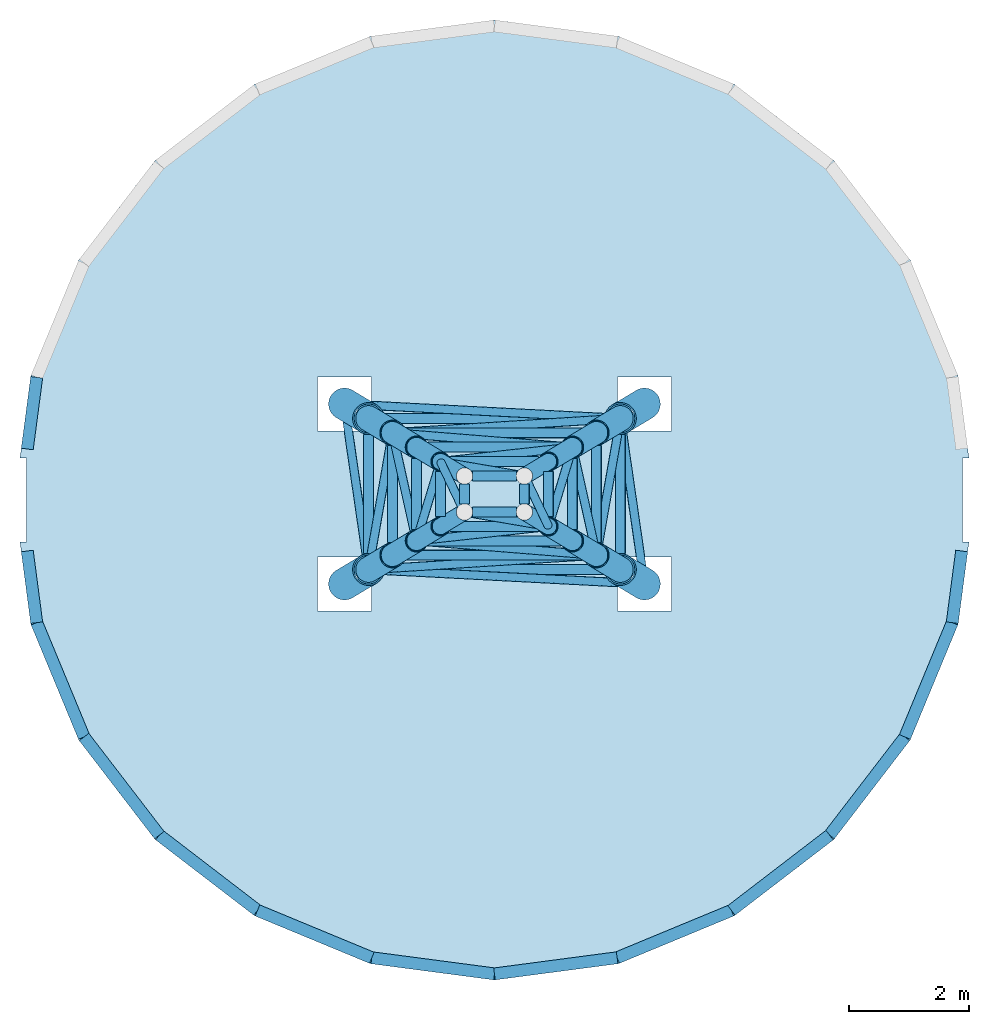
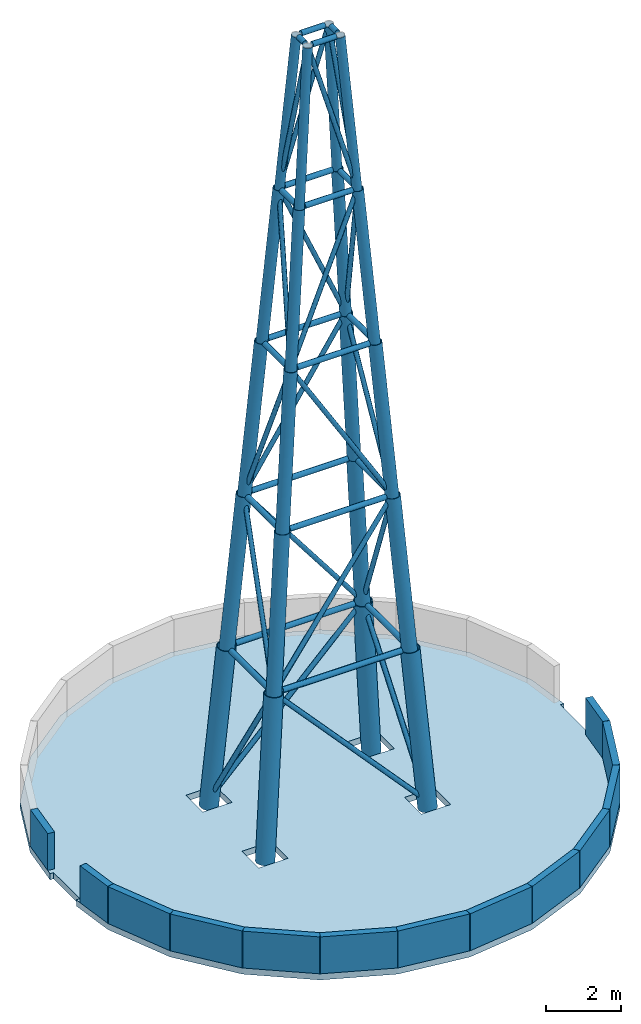
# One storey, part 1 of 2: 60 members, 13 walls, 1 slab.
"""IFC4 building model written with IfcOpenShell, lengths in metres."""

from ifc_helpers import new_model, si_unit, direction, frame, frame_2d, origin, origin_2d, place, context, subcontext, project, spatial, polyline, rectangle, hollow_circle, outline, extrude, material, layer, layer_set, material_profile, profile_set, type_object, element, save


model = new_model("IFC4")

# Units and contexts
model_context = context("Model", 3, precision=1e-05, world=origin(), true_north=direction((0.0, 1.0)))
body_context = subcontext(model_context, "Body", "Model", "MODEL_VIEW")
ifc_project = project(units=[si_unit("LENGTHUNIT", "METRE"), si_unit("AREAUNIT", "SQUARE_METRE"), si_unit("VOLUMEUNIT", "CUBIC_METRE"), si_unit("PLANEANGLEUNIT", "RADIAN"), si_unit("MASSUNIT", "GRAM", prefix="KILO")], contexts=[model_context])

# Site, building, storey
site_placement = place(None, origin())
site = spatial("IfcSite", under=ifc_project, at=site_placement, CompositionType="ELEMENT")
building_placement = place(site_placement, origin())
building = spatial("IfcBuilding", under=site, at=building_placement, Name="Cinnabar Reach Civic Tower", CompositionType="ELEMENT")
storey_placement = place(building_placement, frame((0.0, 0.0, 305.0)))
storey = spatial("IfcBuildingStorey", under=building, at=storey_placement, Name="Roof crown", CompositionType="ELEMENT", Elevation=305.0)

# Members
ifc_material_1 = material(Name="Steel Q355B", Category="steel")
ifc_material_profile_1 = material_profile(ifc_material_1, hollow_circle(Radius=0.07, WallThickness=0.005, at=origin_2d()), Name="CHS140x5")
ifc_profile_set_1 = profile_set([ifc_material_profile_1], Name="Steel Q355B")
member_type_1 = type_object("IfcMemberType", Name="CHS140x5 mast brace", PredefinedType="USERDEFINED", material=ifc_profile_set_1)
member_1_placement = place(storey_placement, frame((16.4814, 53.2281, 0.2312), z_axis=(-0.070068714842, 0.483566836335, 0.872498418335), x_axis=(-0.989664501683, -0.14340214123, 0.0)))
element("IfcMember", 1, at=member_1_placement, inside=storey, type_object=member_type_1, Name="MAST brace", ObjectType="MAST", PredefinedType="USERDEFINED", context=body_context, shape_type="SweptSolid", body=[
    extrude(hollow_circle(Radius=0.07, WallThickness=0.005, at=origin_2d()), origin(), (0.0, 0.0, 1.0), 5.1778),
])
member_2_placement = place(storey_placement, frame((15.9203, 55.8694, 4.7855), z_axis=(-0.678093396704, 0.035370999234, -0.734124129667), x_axis=(-0.052091609459, -0.998642310452, 0.0)))
element("IfcMember", 2, at=member_2_placement, inside=storey, type_object=member_type_1, Name="MAST brace", ObjectType="MAST", PredefinedType="USERDEFINED", context=body_context, shape_type="SweptSolid", body=[
    extrude(hollow_circle(Radius=0.07, WallThickness=0.005, at=origin_2d()), origin(), (0.0, 0.0, 1.0), 6.2537),
])
member_3_placement = place(storey_placement, frame((11.5186, 55.9719, 0.2312), z_axis=(0.070068714842, -0.483566836335, 0.872498418335), x_axis=(0.989664501683, 0.14340214123, 0.0)))
element("IfcMember", 3, at=member_3_placement, inside=storey, type_object=member_type_1, Name="MAST brace", ObjectType="MAST", PredefinedType="USERDEFINED", context=body_context, shape_type="SweptSolid", body=[
    extrude(hollow_circle(Radius=0.07, WallThickness=0.005, at=origin_2d()), origin(), (0.0, 0.0, 1.0), 5.1778),
])
member_4_placement = place(storey_placement, frame((12.0797, 53.3306, 4.7855), z_axis=(0.678093396704, -0.035370999234, -0.734124129667), x_axis=(0.052091609459, 0.998642310452, 0.0)))
element("IfcMember", 4, at=member_4_placement, inside=storey, type_object=member_type_1, Name="MAST brace", ObjectType="MAST", PredefinedType="USERDEFINED", context=body_context, shape_type="SweptSolid", body=[
    extrude(hollow_circle(Radius=0.07, WallThickness=0.005, at=origin_2d()), origin(), (0.0, 0.0, 1.0), 6.2537),
])
member_5_placement = place(storey_placement, frame((15.7155, 53.6684, 9.7668), z_axis=(0.072843617546, 0.415188879196, -0.906814204771), x_axis=(-0.984955626248, 0.17280744869, 0.0)))
element("IfcMember", 5, at=member_5_placement, inside=storey, type_object=member_type_1, Name="MAST brace", ObjectType="MAST", PredefinedType="USERDEFINED", context=body_context, shape_type="SweptSolid", body=[
    extrude(hollow_circle(Radius=0.07, WallThickness=0.005, at=origin_2d()), origin(), (0.0, 0.0, 1.0), 5.0656),
])
member_6_placement = place(storey_placement, frame((15.9709, 55.8518, 5.1492), z_axis=(-0.606177680075, -0.038269052252, 0.794408018476), x_axis=(0.063006306288, -0.998013128855, 0.0)))
element("IfcMember", 6, at=member_6_placement, inside=storey, type_object=member_type_1, Name="MAST brace", ObjectType="MAST", PredefinedType="USERDEFINED", context=body_context, shape_type="SweptSolid", body=[
    extrude(hollow_circle(Radius=0.07, WallThickness=0.005, at=origin_2d()), origin(), (0.0, 0.0, 1.0), 5.8428),
])
member_7_placement = place(storey_placement, frame((12.2845, 55.5316, 9.7668), z_axis=(-0.072843617546, -0.415188879196, -0.906814204771), x_axis=(0.984955626248, -0.17280744869, 0.0)))
element("IfcMember", 7, at=member_7_placement, inside=storey, type_object=member_type_1, Name="MAST brace", ObjectType="MAST", PredefinedType="USERDEFINED", context=body_context, shape_type="SweptSolid", body=[
    extrude(hollow_circle(Radius=0.07, WallThickness=0.005, at=origin_2d()), origin(), (0.0, 0.0, 1.0), 5.0656),
])
member_8_placement = place(storey_placement, frame((12.0291, 53.3482, 5.1492), z_axis=(0.606177680075, 0.038269052252, 0.794408018476), x_axis=(-0.063006306288, 0.998013128855, 0.0)))
element("IfcMember", 8, at=member_8_placement, inside=storey, type_object=member_type_1, Name="MAST brace", ObjectType="MAST", PredefinedType="USERDEFINED", context=body_context, shape_type="SweptSolid", body=[
    extrude(hollow_circle(Radius=0.07, WallThickness=0.005, at=origin_2d()), origin(), (0.0, 0.0, 1.0), 5.8428),
])
member_9_placement = place(storey_placement, frame((15.6858, 53.6439, 10.1368), z_axis=(-0.075324109872, 0.338958494426, 0.937781113869), x_axis=(-0.976187060184, -0.216930457819, 0.0)))
element("IfcMember", 9, at=member_9_placement, inside=storey, type_object=member_type_1, Name="MAST brace", ObjectType="MAST", PredefinedType="USERDEFINED", context=body_context, shape_type="SweptSolid", body=[
    extrude(hollow_circle(Radius=0.07, WallThickness=0.005, at=origin_2d()), origin(), (0.0, 0.0, 1.0), 4.9333),
])
member_10_placement = place(storey_placement, frame((15.2028, 55.3878, 14.7787), z_axis=(-0.515565275296, 0.041236401403, -0.855857468337), x_axis=(-0.079728276547, -0.99681663405, 0.0)))
element("IfcMember", 10, at=member_10_placement, inside=storey, type_object=member_type_1, Name="MAST brace", ObjectType="MAST", PredefinedType="USERDEFINED", context=body_context, shape_type="SweptSolid", body=[
    extrude(hollow_circle(Radius=0.07, WallThickness=0.005, at=origin_2d()), origin(), (0.0, 0.0, 1.0), 5.4418),
])
member_11_placement = place(storey_placement, frame((12.3142, 55.5561, 10.1368), z_axis=(0.075324109872, -0.338958494426, 0.937781113869), x_axis=(0.976187060184, 0.216930457819, 0.0)))
element("IfcMember", 11, at=member_11_placement, inside=storey, type_object=member_type_1, Name="MAST brace", ObjectType="MAST", PredefinedType="USERDEFINED", context=body_context, shape_type="SweptSolid", body=[
    extrude(hollow_circle(Radius=0.07, WallThickness=0.005, at=origin_2d()), origin(), (0.0, 0.0, 1.0), 4.9333),
])
member_12_placement = place(storey_placement, frame((12.7972, 53.8122, 14.7787), z_axis=(0.515565275296, -0.041236401403, -0.855857468337), x_axis=(0.079728276547, 0.99681663405, 0.0)))
element("IfcMember", 12, at=member_12_placement, inside=storey, type_object=member_type_1, Name="MAST brace", ObjectType="MAST", PredefinedType="USERDEFINED", context=body_context, shape_type="SweptSolid", body=[
    extrude(hollow_circle(Radius=0.07, WallThickness=0.005, at=origin_2d()), origin(), (0.0, 0.0, 1.0), 5.4418),
])
member_13_placement = place(storey_placement, frame((14.9126, 54.1015, 19.7634), z_axis=(0.077398269196, 0.255447329229, -0.963719964468), x_axis=(-0.957034814906, 0.289973038502, 0.0)))
element("IfcMember", 13, at=member_13_placement, inside=storey, type_object=member_type_1, Name="MAST brace", ObjectType="MAST", PredefinedType="USERDEFINED", context=body_context, shape_type="SweptSolid", body=[
    extrude(hollow_circle(Radius=0.07, WallThickness=0.005, at=origin_2d()), origin(), (0.0, 0.0, 1.0), 4.8425),
])
member_14_placement = place(storey_placement, frame((15.2344, 55.3728, 15.0885), z_axis=(-0.403701394769, -0.044023121935, 0.913831028471), x_axis=(0.108406066709, -0.994106696839, 0.0)))
element("IfcMember", 14, at=member_14_placement, inside=storey, type_object=member_type_1, Name="MAST brace", ObjectType="MAST", PredefinedType="USERDEFINED", context=body_context, shape_type="SweptSolid", body=[
    extrude(hollow_circle(Radius=0.07, WallThickness=0.005, at=origin_2d()), origin(), (0.0, 0.0, 1.0), 5.1246),
])
member_15_placement = place(storey_placement, frame((13.0874, 55.0985, 19.7634), z_axis=(-0.077398269196, -0.255447329229, -0.963719964468), x_axis=(0.957034814906, -0.289973038502, 0.0)))
element("IfcMember", 15, at=member_15_placement, inside=storey, type_object=member_type_1, Name="MAST brace", ObjectType="MAST", PredefinedType="USERDEFINED", context=body_context, shape_type="SweptSolid", body=[
    extrude(hollow_circle(Radius=0.07, WallThickness=0.005, at=origin_2d()), origin(), (0.0, 0.0, 1.0), 4.8425),
])
member_16_placement = place(storey_placement, frame((12.7656, 53.8272, 15.0885), z_axis=(0.403701394769, 0.044023121935, 0.913831028471), x_axis=(-0.108406066709, 0.994106696839, 0.0)))
element("IfcMember", 16, at=member_16_placement, inside=storey, type_object=member_type_1, Name="MAST brace", ObjectType="MAST", PredefinedType="USERDEFINED", context=body_context, shape_type="SweptSolid", body=[
    extrude(hollow_circle(Radius=0.07, WallThickness=0.005, at=origin_2d()), origin(), (0.0, 0.0, 1.0), 5.1246),
])
member_17_placement = place(storey_placement, frame((14.8892, 54.0826, 20.0542), z_axis=(-0.078946371715, 0.165820761731, 0.982990816525), x_axis=(-0.902894113159, -0.429863025188, 0.0)))
element("IfcMember", 17, at=member_17_placement, inside=storey, type_object=member_type_1, Name="MAST brace", ObjectType="MAST", PredefinedType="USERDEFINED", context=body_context, shape_type="SweptSolid", body=[
    extrude(hollow_circle(Radius=0.07, WallThickness=0.005, at=origin_2d()), origin(), (0.0, 0.0, 1.0), 4.7931),
])
member_18_placement = place(storey_placement, frame((14.4631, 54.9063, 24.7687), z_axis=(-0.270347081454, 0.046355697725, -0.961646299238), x_axis=(-0.169000944921, -0.985615888983, 0.0)))
element("IfcMember", 18, at=member_18_placement, inside=storey, type_object=member_type_1, Name="MAST brace", ObjectType="MAST", PredefinedType="USERDEFINED", context=body_context, shape_type="SweptSolid", body=[
    extrude(hollow_circle(Radius=0.07, WallThickness=0.005, at=origin_2d()), origin(), (0.0, 0.0, 1.0), 4.9055),
])
member_19_placement = place(storey_placement, frame((13.1108, 55.1174, 20.0542), z_axis=(0.078946371715, -0.165820761731, 0.982990816525), x_axis=(0.902894113159, 0.429863025188, 0.0)))
element("IfcMember", 19, at=member_19_placement, inside=storey, type_object=member_type_1, Name="MAST brace", ObjectType="MAST", PredefinedType="USERDEFINED", context=body_context, shape_type="SweptSolid", body=[
    extrude(hollow_circle(Radius=0.07, WallThickness=0.005, at=origin_2d()), origin(), (0.0, 0.0, 1.0), 4.7931),
])
member_20_placement = place(storey_placement, frame((13.5369, 54.2937, 24.7687), z_axis=(0.270347081454, -0.046355697725, -0.961646299238), x_axis=(0.169000944921, 0.985615888983, 0.0)))
element("IfcMember", 20, at=member_20_placement, inside=storey, type_object=member_type_1, Name="MAST brace", ObjectType="MAST", PredefinedType="USERDEFINED", context=body_context, shape_type="SweptSolid", body=[
    extrude(hollow_circle(Radius=0.07, WallThickness=0.005, at=origin_2d()), origin(), (0.0, 0.0, 1.0), 4.9055),
])
ifc_material_profile_2 = material_profile(ifc_material_1, hollow_circle(Radius=0.084, WallThickness=0.006, at=origin_2d()), Name="CHS168x6")
ifc_profile_set_2 = profile_set([ifc_material_profile_2], Name="Steel Q355B")
member_type_2 = type_object("IfcMemberType", Name="CHS168x6 mast ring", PredefinedType="USERDEFINED", material=ifc_profile_set_2)
member_21_placement = place(storey_placement, frame((16.1, 53.605, 4.98), z_axis=(0.0, 1.0, 0.0), x_axis=(-1.0, 0.0, 0.0)))
element("IfcMember", 21, at=member_21_placement, inside=storey, type_object=member_type_2, Name="MAST ring", ObjectType="MAST", PredefinedType="USERDEFINED", context=body_context, shape_type="SweptSolid", body=[
    extrude(hollow_circle(Radius=0.084, WallThickness=0.006, at=origin_2d()), origin(), (0.0, 0.0, 1.0), 1.99),
])
member_22_placement = place(storey_placement, frame((15.835, 55.86, 4.98), z_axis=(-1.0, 0.0, 0.0), x_axis=(0.0, -1.0, 0.0)))
element("IfcMember", 22, at=member_22_placement, inside=storey, type_object=member_type_2, Name="MAST ring", ObjectType="MAST", PredefinedType="USERDEFINED", context=body_context, shape_type="SweptSolid", body=[
    extrude(hollow_circle(Radius=0.084, WallThickness=0.006, at=origin_2d()), origin(), (0.0, 0.0, 1.0), 3.67),
])
member_23_placement = place(storey_placement, frame((11.9, 55.595, 4.98), z_axis=(0.0, -1.0, 0.0), x_axis=(1.0, 0.0, 0.0)))
element("IfcMember", 23, at=member_23_placement, inside=storey, type_object=member_type_2, Name="MAST ring", ObjectType="MAST", PredefinedType="USERDEFINED", context=body_context, shape_type="SweptSolid", body=[
    extrude(hollow_circle(Radius=0.084, WallThickness=0.006, at=origin_2d()), origin(), (0.0, 0.0, 1.0), 1.99),
])
member_24_placement = place(storey_placement, frame((12.165, 53.34, 4.98), z_axis=(1.0, 0.0, 0.0), x_axis=(0.0, 1.0, 0.0)))
element("IfcMember", 24, at=member_24_placement, inside=storey, type_object=member_type_2, Name="MAST ring", ObjectType="MAST", PredefinedType="USERDEFINED", context=body_context, shape_type="SweptSolid", body=[
    extrude(hollow_circle(Radius=0.084, WallThickness=0.006, at=origin_2d()), origin(), (0.0, 0.0, 1.0), 3.67),
])
member_25_placement = place(storey_placement, frame((15.7, 53.793, 9.96), z_axis=(0.0, 1.0, 0.0), x_axis=(-1.0, 0.0, 0.0)))
element("IfcMember", 25, at=member_25_placement, inside=storey, type_object=member_type_2, Name="MAST ring", ObjectType="MAST", PredefinedType="USERDEFINED", context=body_context, shape_type="SweptSolid", body=[
    extrude(hollow_circle(Radius=0.084, WallThickness=0.006, at=origin_2d()), origin(), (0.0, 0.0, 1.0), 1.614),
])
member_26_placement = place(storey_placement, frame((15.487, 55.62, 9.96), z_axis=(-1.0, 0.0, 0.0), x_axis=(0.0, -1.0, 0.0)))
element("IfcMember", 26, at=member_26_placement, inside=storey, type_object=member_type_2, Name="MAST ring", ObjectType="MAST", PredefinedType="USERDEFINED", context=body_context, shape_type="SweptSolid", body=[
    extrude(hollow_circle(Radius=0.084, WallThickness=0.006, at=origin_2d()), origin(), (0.0, 0.0, 1.0), 2.974),
])
member_27_placement = place(storey_placement, frame((12.3, 55.407, 9.96), z_axis=(0.0, -1.0, 0.0), x_axis=(1.0, 0.0, 0.0)))
element("IfcMember", 27, at=member_27_placement, inside=storey, type_object=member_type_2, Name="MAST ring", ObjectType="MAST", PredefinedType="USERDEFINED", context=body_context, shape_type="SweptSolid", body=[
    extrude(hollow_circle(Radius=0.084, WallThickness=0.006, at=origin_2d()), origin(), (0.0, 0.0, 1.0), 1.614),
])
member_28_placement = place(storey_placement, frame((12.513, 53.58, 9.96), z_axis=(1.0, 0.0, 0.0), x_axis=(0.0, 1.0, 0.0)))
element("IfcMember", 28, at=member_28_placement, inside=storey, type_object=member_type_2, Name="MAST ring", ObjectType="MAST", PredefinedType="USERDEFINED", context=body_context, shape_type="SweptSolid", body=[
    extrude(hollow_circle(Radius=0.084, WallThickness=0.006, at=origin_2d()), origin(), (0.0, 0.0, 1.0), 2.974),
])
member_29_placement = place(storey_placement, frame((15.3, 54.0085, 14.94), z_axis=(0.0, 1.0, 0.0), x_axis=(-1.0, 0.0, 0.0)))
element("IfcMember", 29, at=member_29_placement, inside=storey, type_object=member_type_2, Name="MAST ring", ObjectType="MAST", PredefinedType="USERDEFINED", context=body_context, shape_type="SweptSolid", body=[
    extrude(hollow_circle(Radius=0.084, WallThickness=0.006, at=origin_2d()), origin(), (0.0, 0.0, 1.0), 1.183),
])
member_30_placement = place(storey_placement, frame((15.1115, 55.38, 14.94), z_axis=(-1.0, 0.0, 0.0), x_axis=(0.0, -1.0, 0.0)))
element("IfcMember", 30, at=member_30_placement, inside=storey, type_object=member_type_2, Name="MAST ring", ObjectType="MAST", PredefinedType="USERDEFINED", context=body_context, shape_type="SweptSolid", body=[
    extrude(hollow_circle(Radius=0.084, WallThickness=0.006, at=origin_2d()), origin(), (0.0, 0.0, 1.0), 2.223),
])
member_31_placement = place(storey_placement, frame((12.7, 55.1915, 14.94), z_axis=(0.0, -1.0, 0.0), x_axis=(1.0, 0.0, 0.0)))
element("IfcMember", 31, at=member_31_placement, inside=storey, type_object=member_type_2, Name="MAST ring", ObjectType="MAST", PredefinedType="USERDEFINED", context=body_context, shape_type="SweptSolid", body=[
    extrude(hollow_circle(Radius=0.084, WallThickness=0.006, at=origin_2d()), origin(), (0.0, 0.0, 1.0), 1.183),
])
member_32_placement = place(storey_placement, frame((12.8885, 53.82, 14.94), z_axis=(1.0, 0.0, 0.0), x_axis=(0.0, 1.0, 0.0)))
element("IfcMember", 32, at=member_32_placement, inside=storey, type_object=member_type_2, Name="MAST ring", ObjectType="MAST", PredefinedType="USERDEFINED", context=body_context, shape_type="SweptSolid", body=[
    extrude(hollow_circle(Radius=0.084, WallThickness=0.006, at=origin_2d()), origin(), (0.0, 0.0, 1.0), 2.223),
])
member_33_placement = place(storey_placement, frame((14.9, 54.2225, 19.92), z_axis=(0.0, 1.0, 0.0), x_axis=(-1.0, 0.0, 0.0)))
element("IfcMember", 33, at=member_33_placement, inside=storey, type_object=member_type_2, Name="MAST ring", ObjectType="MAST", PredefinedType="USERDEFINED", context=body_context, shape_type="SweptSolid", body=[
    extrude(hollow_circle(Radius=0.084, WallThickness=0.006, at=origin_2d()), origin(), (0.0, 0.0, 1.0), 0.755),
])
member_34_placement = place(storey_placement, frame((14.7375, 55.14, 19.92), z_axis=(-1.0, 0.0, 0.0), x_axis=(0.0, -1.0, 0.0)))
element("IfcMember", 34, at=member_34_placement, inside=storey, type_object=member_type_2, Name="MAST ring", ObjectType="MAST", PredefinedType="USERDEFINED", context=body_context, shape_type="SweptSolid", body=[
    extrude(hollow_circle(Radius=0.084, WallThickness=0.006, at=origin_2d()), origin(), (0.0, 0.0, 1.0), 1.475),
])
member_35_placement = place(storey_placement, frame((13.1, 54.9775, 19.92), z_axis=(0.0, -1.0, 0.0), x_axis=(1.0, 0.0, 0.0)))
element("IfcMember", 35, at=member_35_placement, inside=storey, type_object=member_type_2, Name="MAST ring", ObjectType="MAST", PredefinedType="USERDEFINED", context=body_context, shape_type="SweptSolid", body=[
    extrude(hollow_circle(Radius=0.084, WallThickness=0.006, at=origin_2d()), origin(), (0.0, 0.0, 1.0), 0.755),
])
member_36_placement = place(storey_placement, frame((13.2625, 54.06, 19.92), z_axis=(1.0, 0.0, 0.0), x_axis=(0.0, 1.0, 0.0)))
element("IfcMember", 36, at=member_36_placement, inside=storey, type_object=member_type_2, Name="MAST ring", ObjectType="MAST", PredefinedType="USERDEFINED", context=body_context, shape_type="SweptSolid", body=[
    extrude(hollow_circle(Radius=0.084, WallThickness=0.006, at=origin_2d()), origin(), (0.0, 0.0, 1.0), 1.475),
])
member_37_placement = place(storey_placement, frame((14.5, 54.4365, 24.9), z_axis=(0.0, 1.0, 0.0), x_axis=(-1.0, 0.0, 0.0)))
element("IfcMember", 37, at=member_37_placement, inside=storey, type_object=member_type_2, Name="MAST ring", ObjectType="MAST", PredefinedType="USERDEFINED", context=body_context, shape_type="SweptSolid", body=[
    extrude(hollow_circle(Radius=0.084, WallThickness=0.006, at=origin_2d()), origin(), (0.0, 0.0, 1.0), 0.327),
])
member_38_placement = place(storey_placement, frame((14.3635, 54.9, 24.9), z_axis=(-1.0, 0.0, 0.0), x_axis=(0.0, -1.0, 0.0)))
element("IfcMember", 38, at=member_38_placement, inside=storey, type_object=member_type_2, Name="MAST ring", ObjectType="MAST", PredefinedType="USERDEFINED", context=body_context, shape_type="SweptSolid", body=[
    extrude(hollow_circle(Radius=0.084, WallThickness=0.006, at=origin_2d()), origin(), (0.0, 0.0, 1.0), 0.727),
])
member_39_placement = place(storey_placement, frame((13.5, 54.7635, 24.9), z_axis=(0.0, -1.0, 0.0), x_axis=(1.0, 0.0, 0.0)))
element("IfcMember", 39, at=member_39_placement, inside=storey, type_object=member_type_2, Name="MAST ring", ObjectType="MAST", PredefinedType="USERDEFINED", context=body_context, shape_type="SweptSolid", body=[
    extrude(hollow_circle(Radius=0.084, WallThickness=0.006, at=origin_2d()), origin(), (0.0, 0.0, 1.0), 0.327),
])
member_40_placement = place(storey_placement, frame((13.6365, 54.3, 24.9), z_axis=(1.0, 0.0, 0.0), x_axis=(0.0, 1.0, 0.0)))
element("IfcMember", 40, at=member_40_placement, inside=storey, type_object=member_type_2, Name="MAST ring", ObjectType="MAST", PredefinedType="USERDEFINED", context=body_context, shape_type="SweptSolid", body=[
    extrude(hollow_circle(Radius=0.084, WallThickness=0.006, at=origin_2d()), origin(), (0.0, 0.0, 1.0), 0.727),
])
ifc_material_profile_3 = material_profile(ifc_material_1, hollow_circle(Radius=0.1365, WallThickness=0.01, at=origin_2d()), Name="CHS273x10")
ifc_profile_set_3 = profile_set([ifc_material_profile_3], Name="Steel Q355B")
member_type_3 = type_object("IfcMemberType", Name="CHS273x10 mast leg", PredefinedType="USERDEFINED", material=ifc_profile_set_3)
for number, where, z_axis, x_axis, name in (
    (41, (14.9, 54.06, 19.72), (-0.076908856925, 0.046145314155, 0.995969697184), (-0.514495755428, -0.857492925713, 0.0), "MAST leg"),
    (42, (14.9, 55.14, 19.72), (-0.076908856925, -0.046145314155, 0.995969697184), (0.514495755428, -0.857492925713, 0.0), "MAST leg"),
    (43, (13.1, 55.14, 19.72), (0.076908856925, -0.046145314155, 0.995969697184), (0.514495755428, 0.857492925713, 0.0), "MAST leg"),
    (44, (13.1, 54.06, 19.72), (0.076908856925, 0.046145314155, 0.995969697184), (-0.514495755428, 0.857492925713, 0.0), "MAST leg"),
):
    element("IfcMember", number, at=place(storey_placement, frame(where, z_axis=z_axis, x_axis=x_axis)), inside=storey, type_object=member_type_3, Name=name, ObjectType="MAST", PredefinedType="USERDEFINED", context=body_context, shape_type="SweptSolid", body=[
        extrude(hollow_circle(Radius=0.1365, WallThickness=0.01, at=origin_2d()), origin(), (0.0, 0.0, 1.0), 5.201),
    ])
ifc_material_profile_4 = material_profile(ifc_material_1, hollow_circle(Radius=0.1625, WallThickness=0.012, at=origin_2d()), Name="CHS325x12")
ifc_profile_set_4 = profile_set([ifc_material_profile_4], Name="Steel Q355B")
member_type_4 = type_object("IfcMemberType", Name="CHS325x12 mast leg", PredefinedType="USERDEFINED", material=ifc_profile_set_4)
for number, where, z_axis, x_axis, name in (
    (45, (15.3, 53.82, 14.74), (-0.076908856925, 0.046145314155, 0.995969697184), (-0.514495755428, -0.857492925713, 0.0), "MAST leg"),
    (46, (15.3, 55.38, 14.74), (-0.076908856925, -0.046145314155, 0.995969697184), (0.514495755428, -0.857492925713, 0.0), "MAST leg"),
    (47, (12.7, 55.38, 14.74), (0.076908856925, -0.046145314155, 0.995969697184), (0.514495755428, 0.857492925713, 0.0), "MAST leg"),
    (48, (12.7, 53.82, 14.74), (0.076908856925, 0.046145314155, 0.995969697184), (-0.514495755428, 0.857492925713, 0.0), "MAST leg"),
):
    element("IfcMember", number, at=place(storey_placement, frame(where, z_axis=z_axis, x_axis=x_axis)), inside=storey, type_object=member_type_4, Name=name, ObjectType="MAST", PredefinedType="USERDEFINED", context=body_context, shape_type="SweptSolid", body=[
        extrude(hollow_circle(Radius=0.1625, WallThickness=0.012, at=origin_2d()), origin(), (0.0, 0.0, 1.0), 5.201),
    ])
ifc_material_profile_5 = material_profile(ifc_material_1, hollow_circle(Radius=0.1885, WallThickness=0.014, at=origin_2d()), Name="CHS377x14")
ifc_profile_set_5 = profile_set([ifc_material_profile_5], Name="Steel Q355B")
member_type_5 = type_object("IfcMemberType", Name="CHS377x14 mast leg", PredefinedType="USERDEFINED", material=ifc_profile_set_5)
for number, where, z_axis, x_axis, name in (
    (49, (15.7, 53.58, 9.76), (-0.076908856925, 0.046145314155, 0.995969697184), (-0.514495755428, -0.857492925713, 0.0), "MAST leg"),
    (50, (15.7, 55.62, 9.76), (-0.076908856925, -0.046145314155, 0.995969697184), (0.514495755428, -0.857492925713, 0.0), "MAST leg"),
    (51, (12.3, 55.62, 9.76), (0.076908856925, -0.046145314155, 0.995969697184), (0.514495755428, 0.857492925713, 0.0), "MAST leg"),
    (52, (12.3, 53.58, 9.76), (0.076908856925, 0.046145314155, 0.995969697184), (-0.514495755428, 0.857492925713, 0.0), "MAST leg"),
):
    element("IfcMember", number, at=place(storey_placement, frame(where, z_axis=z_axis, x_axis=x_axis)), inside=storey, type_object=member_type_5, Name=name, ObjectType="MAST", PredefinedType="USERDEFINED", context=body_context, shape_type="SweptSolid", body=[
        extrude(hollow_circle(Radius=0.1885, WallThickness=0.014, at=origin_2d()), origin(), (0.0, 0.0, 1.0), 5.201),
    ])
ifc_material_profile_6 = material_profile(ifc_material_1, hollow_circle(Radius=0.213, WallThickness=0.016, at=origin_2d()), Name="CHS426x16")
ifc_profile_set_6 = profile_set([ifc_material_profile_6], Name="Steel Q355B")
member_type_6 = type_object("IfcMemberType", Name="CHS426x16 mast leg", PredefinedType="USERDEFINED", material=ifc_profile_set_6)
for number, where, z_axis, x_axis, name in (
    (53, (16.1, 53.34, 4.78), (-0.076908856925, 0.046145314155, 0.995969697184), (-0.514495755428, -0.857492925713, 0.0), "MAST leg"),
    (54, (16.1, 55.86, 4.78), (-0.076908856925, -0.046145314155, 0.995969697184), (0.514495755428, -0.857492925713, 0.0), "MAST leg"),
    (55, (11.9, 55.86, 4.78), (0.076908856925, -0.046145314155, 0.995969697184), (0.514495755428, 0.857492925713, 0.0), "MAST leg"),
    (56, (11.9, 53.34, 4.78), (0.076908856925, 0.046145314155, 0.995969697184), (-0.514495755428, 0.857492925713, 0.0), "MAST leg"),
):
    element("IfcMember", number, at=place(storey_placement, frame(where, z_axis=z_axis, x_axis=x_axis)), inside=storey, type_object=member_type_6, Name=name, ObjectType="MAST", PredefinedType="USERDEFINED", context=body_context, shape_type="SweptSolid", body=[
        extrude(hollow_circle(Radius=0.213, WallThickness=0.016, at=origin_2d()), origin(), (0.0, 0.0, 1.0), 5.201),
    ])
ifc_material_profile_7 = material_profile(ifc_material_1, hollow_circle(Radius=0.265, WallThickness=0.025, at=origin_2d()), Name="CHS530x25")
ifc_profile_set_7 = profile_set([ifc_material_profile_7], Name="Steel Q355B")
member_type_7 = type_object("IfcMemberType", Name="CHS530x25 mast leg", PredefinedType="USERDEFINED", material=ifc_profile_set_7)
for number, where, z_axis, x_axis, name in (
    (57, (16.5, 53.1, -0.2), (-0.076908856925, 0.046145314155, 0.995969697184), (-0.514495755428, -0.857492925713, 0.0), "MAST leg"),
    (58, (16.5, 56.1, -0.2), (-0.076908856925, -0.046145314155, 0.995969697184), (0.514495755428, -0.857492925713, 0.0), "MAST leg"),
    (59, (11.5, 56.1, -0.2), (0.076908856925, -0.046145314155, 0.995969697184), (0.514495755428, 0.857492925713, 0.0), "MAST leg"),
    (60, (11.5, 53.1, -0.2), (0.076908856925, 0.046145314155, 0.995969697184), (-0.514495755428, 0.857492925713, 0.0), "MAST leg"),
):
    element("IfcMember", number, at=place(storey_placement, frame(where, z_axis=z_axis, x_axis=x_axis)), inside=storey, type_object=member_type_7, Name=name, ObjectType="MAST", PredefinedType="USERDEFINED", context=body_context, shape_type="SweptSolid", body=[
        extrude(hollow_circle(Radius=0.265, WallThickness=0.025, at=origin_2d()), origin(), (0.0, 0.0, 1.0), 5.201),
    ])

# Slab
ifc_material_2 = material(Name="Concrete C40", Category="concrete")
ifc_layer_1 = layer(ifc_material_2, 0.2)
ifc_layer_set_1 = layer_set([ifc_layer_1], Name="Drum roof slab 200")
slab_type = type_object("IfcSlabType", Name="Drum roof slab 200", PredefinedType="ROOF", material=ifc_layer_set_1)
slab_placement = place(storey_placement, frame((0.0, 0.0, -0.2)))
element("IfcSlab", 61, at=slab_placement, inside=storey, type_object=slab_type, Name="Plant drum roof slab", PredefinedType="ROOF", context=body_context, shape_type="SweptSolid", body=[
    extrude(outline(polyline([(6.2726, 56.5706), (7.0718, 58.5), (8.3431, 60.1569), (10.0, 61.4282), (11.9294, 62.2274), (14.0, 62.5), (16.0706, 62.2274), (18.0, 61.4282), (19.6569, 60.1569), (20.9282, 58.5), (21.7274, 56.5706), (21.9078, 55.2), (21.8, 55.2), (21.8, 53.8), (21.9078, 53.8), (21.7274, 52.4294), (20.9282, 50.5), (19.6569, 48.8431), (18.0, 47.5718), (16.0706, 46.7726), (14.0, 46.5), (11.9294, 46.7726), (10.0, 47.5718), (8.3431, 48.8431), (7.0718, 50.5), (6.2726, 52.4294), (6.0922, 53.8), (6.2, 53.8), (6.2, 55.2), (6.0922, 55.2), (6.2726, 56.5706)]), holes=[polyline([(16.05, 52.65), (16.95, 52.65), (16.95, 53.55), (16.05, 53.55), (16.05, 52.65)]), polyline([(16.05, 55.65), (16.95, 55.65), (16.95, 56.55), (16.05, 56.55), (16.05, 55.65)]), polyline([(11.05, 55.65), (11.95, 55.65), (11.95, 56.55), (11.05, 56.55), (11.05, 55.65)]), polyline([(11.05, 52.65), (11.95, 52.65), (11.95, 53.55), (11.05, 53.55), (11.05, 52.65)])]), origin(), (0.0, 0.0, 1.0), 0.2),
])

# Walls
ifc_material_3 = material(Name="Concrete C40/50", Category="concrete")
ifc_layer_2 = layer(ifc_material_3, 0.2)
ifc_layer_set_2 = layer_set([ifc_layer_2], Name="T1 drum roof parapet 200")
wall_type = type_object("IfcWallType", Name="T1 drum roof parapet 200", PredefinedType="PARAPET", material=ifc_layer_set_2)
for number, where, z_axis, x_axis, name in (
    (62, (6.37, 56.5444, 0.0), (0.0, 0.0, 1.0), (-0.130488868502, -0.99144977442, 0.0), "Drum roof parapet"),
    (63, (6.2128, 53.65, 0.0), (0.0, 0.0, 1.0), (0.130488868502, -0.99144977442, 0.0), "Drum roof parapet"),
):
    element("IfcWall", number, at=place(storey_placement, frame(where, z_axis=z_axis, x_axis=x_axis)), inside=storey, type_object=wall_type, Name=name, PredefinedType="PARAPET", context=body_context, shape_type="SweptSolid", body=[
        extrude(rectangle(XDim=1.2047, YDim=0.2, at=frame_2d((0.6024, 0.0))), origin(), (0.0, 0.0, 1.0), 1.2),
    ])
wall_1_placement = place(storey_placement, frame((6.37, 52.4556, 0.0), z_axis=(0.0, 0.0, 1.0), x_axis=(0.382658730232, -0.923889764083, 0.0)))
element("IfcWall", 64, at=wall_1_placement, inside=storey, type_object=wall_type, Name="Drum roof parapet", PredefinedType="PARAPET", context=body_context, shape_type="SweptSolid", body=[
    extrude(rectangle(XDim=2.0622, YDim=0.2, at=frame_2d((1.0311, 0.0))), origin(), (0.0, 0.0, 1.0), 1.2),
])
for number, where, z_axis, x_axis, name in (
    (65, (7.1591, 50.5504, 0.0), (0.0, 0.0, 1.0), (0.608801041052, -0.79332294333, 0.0), "Drum roof parapet"),
    (66, (8.4145, 48.9145, 0.0), (0.0, 0.0, 1.0), (0.79332294333, -0.608801041052, 0.0), "Drum roof parapet"),
):
    element("IfcWall", number, at=place(storey_placement, frame(where, z_axis=z_axis, x_axis=x_axis)), inside=storey, type_object=wall_type, Name=name, PredefinedType="PARAPET", context=body_context, shape_type="SweptSolid", body=[
        extrude(rectangle(XDim=2.0621, YDim=0.2, at=frame_2d((1.0311, 0.0))), origin(), (0.0, 0.0, 1.0), 1.2),
    ])
wall_2_placement = place(storey_placement, frame((10.0504, 47.6591, 0.0), z_axis=(0.0, 0.0, 1.0), x_axis=(0.923889764083, -0.382658730232, 0.0)))
element("IfcWall", 67, at=wall_2_placement, inside=storey, type_object=wall_type, Name="Drum roof parapet", PredefinedType="PARAPET", context=body_context, shape_type="SweptSolid", body=[
    extrude(rectangle(XDim=2.0622, YDim=0.2, at=frame_2d((1.0311, 0.0))), origin(), (0.0, 0.0, 1.0), 1.2),
])
for number, where, z_axis, x_axis, name in (
    (68, (11.9556, 46.87, 0.0), (0.0, 0.0, 1.0), (0.991448021966, -0.130502182895, 0.0), "Drum roof parapet"),
    (69, (14.0, 46.6009, 0.0), (0.0, 0.0, 1.0), (0.991448021966, 0.130502182895, 0.0), "Drum roof parapet"),
):
    element("IfcWall", number, at=place(storey_placement, frame(where, z_axis=z_axis, x_axis=x_axis)), inside=storey, type_object=wall_type, Name=name, PredefinedType="PARAPET", context=body_context, shape_type="SweptSolid", body=[
        extrude(rectangle(XDim=2.062, YDim=0.2, at=frame_2d((1.031, 0.0))), origin(), (0.0, 0.0, 1.0), 1.2),
    ])
wall_3_placement = place(storey_placement, frame((16.0444, 46.87, 0.0), z_axis=(0.0, 0.0, 1.0), x_axis=(0.923889764083, 0.382658730232, 0.0)))
element("IfcWall", 70, at=wall_3_placement, inside=storey, type_object=wall_type, Name="Drum roof parapet", PredefinedType="PARAPET", context=body_context, shape_type="SweptSolid", body=[
    extrude(rectangle(XDim=2.0622, YDim=0.2, at=frame_2d((1.0311, 0.0))), origin(), (0.0, 0.0, 1.0), 1.2),
])
for number, where, z_axis, x_axis, name in (
    (71, (17.9496, 47.6591, 0.0), (0.0, 0.0, 1.0), (0.79332294333, 0.608801041052, 0.0), "Drum roof parapet"),
    (72, (19.5855, 48.9145, 0.0), (0.0, 0.0, 1.0), (0.608801041052, 0.79332294333, 0.0), "Drum roof parapet"),
):
    element("IfcWall", number, at=place(storey_placement, frame(where, z_axis=z_axis, x_axis=x_axis)), inside=storey, type_object=wall_type, Name=name, PredefinedType="PARAPET", context=body_context, shape_type="SweptSolid", body=[
        extrude(rectangle(XDim=2.0621, YDim=0.2, at=frame_2d((1.0311, 0.0))), origin(), (0.0, 0.0, 1.0), 1.2),
    ])
wall_4_placement = place(storey_placement, frame((20.8409, 50.5504, 0.0), z_axis=(0.0, 0.0, 1.0), x_axis=(0.382658730232, 0.923889764083, 0.0)))
element("IfcWall", 73, at=wall_4_placement, inside=storey, type_object=wall_type, Name="Drum roof parapet", PredefinedType="PARAPET", context=body_context, shape_type="SweptSolid", body=[
    extrude(rectangle(XDim=2.0622, YDim=0.2, at=frame_2d((1.0311, 0.0))), origin(), (0.0, 0.0, 1.0), 1.2),
])
wall_5_placement = place(storey_placement, frame((21.63, 52.4556, 0.0), z_axis=(0.0, 0.0, 1.0), x_axis=(0.130488868502, 0.99144977442, 0.0)))
element("IfcWall", 74, at=wall_5_placement, inside=storey, type_object=wall_type, Name="Drum roof parapet", PredefinedType="PARAPET", context=body_context, shape_type="SweptSolid", body=[
    extrude(rectangle(XDim=1.2047, YDim=0.2, at=frame_2d((0.6024, 0.0))), origin(), (0.0, 0.0, 1.0), 1.2),
])

save(model, "model.ifc")
